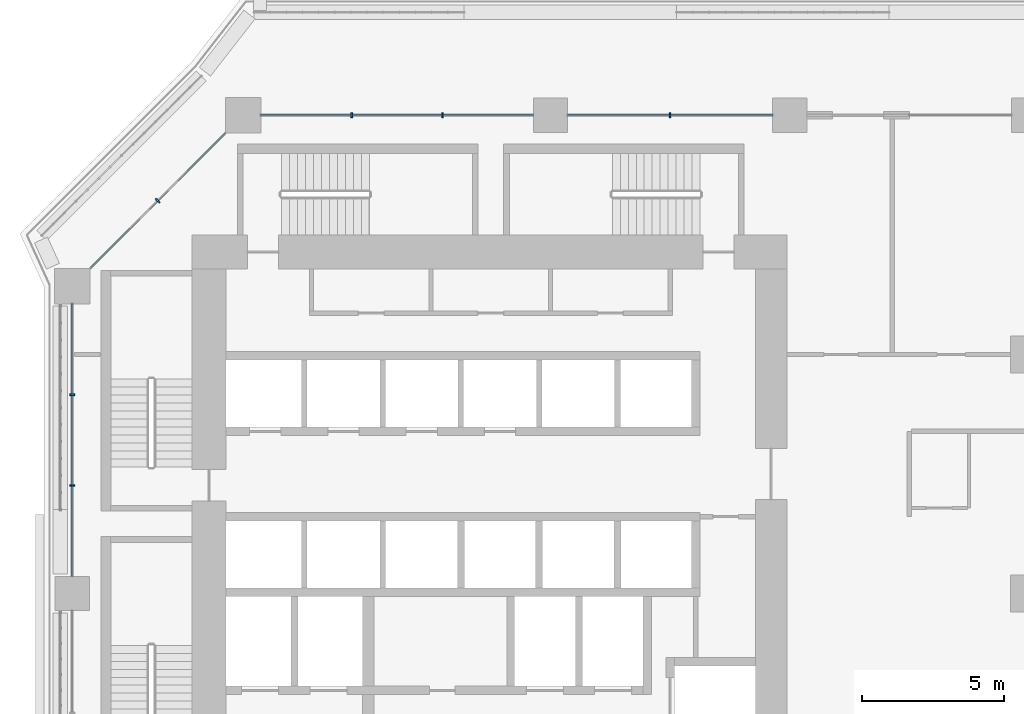
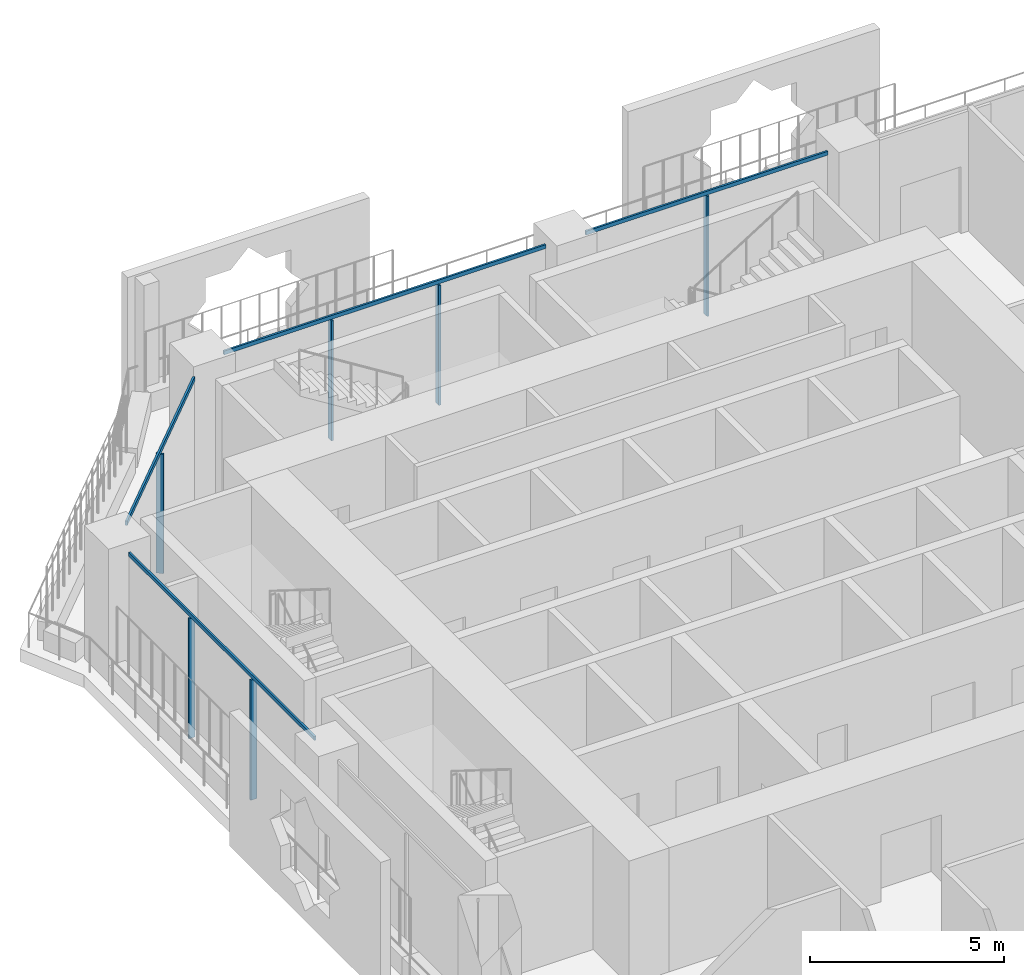
# One storey, part 7 of 27: 10 members, 3 elements without a shape of their own.
"""IFC4 building model written with IfcOpenShell, lengths in metres."""

from ifc_helpers import new_model, si_unit, direction, frame, origin, origin_2d, place, context, subcontext, project, spatial, rectangle, extrude, material, layer, layer_set, material_profile, profile_set, type_object, element, aggregate, save


model = new_model("IFC4")

# Units and contexts
model_context = context("Model", 3, precision=1e-05, world=origin(), true_north=direction((0.0, 1.0)))
body_context = subcontext(model_context, "Body", "Model", "MODEL_VIEW")
ifc_project = project(units=[si_unit("LENGTHUNIT", "METRE"), si_unit("AREAUNIT", "SQUARE_METRE"), si_unit("VOLUMEUNIT", "CUBIC_METRE"), si_unit("PLANEANGLEUNIT", "RADIAN"), si_unit("MASSUNIT", "GRAM", prefix="KILO")], contexts=[model_context])

# Site, building, storey
site_placement = place(None, origin())
site = spatial("IfcSite", under=ifc_project, at=site_placement, CompositionType="ELEMENT")
building_placement = place(site_placement, origin())
building = spatial("IfcBuilding", under=site, at=building_placement, Name="Kawkab Arch Medical Tower", CompositionType="ELEMENT")
storey_placement = place(building_placement, frame((0.0, 0.0, 39.199951171875)))
storey = spatial("IfcBuildingStorey", under=building, at=storey_placement, Name="L08", CompositionType="ELEMENT", Elevation=39.199951171875)

# Curtain wall, members
ifc_material_1 = material(Name="Bronze anodised aluminium curtain wall frame", Category="aluminium")
ifc_layer_1 = layer(ifc_material_1, 0.159912109375)
ifc_layer_set_1 = layer_set([ifc_layer_1], Name="Bronze anodised aluminium curtain wall frame")
curtain_wall_type_1 = type_object("IfcCurtainWallType", Name="CW1 ward curtain wall", PredefinedType="NOTDEFINED", material=ifc_layer_set_1)
placement = place(storey_placement, origin())
curtain_wall_1 = element("IfcCurtainWall", 1, at=placement, inside=storey, type_object=curtain_wall_type_1, Name="CW1 Ward curtain wall R09", PredefinedType="NOTDEFINED")
ifc_material_2 = material(Name="Bronze anodised aluminium curtain wall frame", Category="aluminium")
ifc_material_profile_1 = material_profile(ifc_material_2, rectangle(XDim=0.179931640625, YDim=0.06005859375, at=origin_2d()), Name="AL 60x180")
ifc_profile_set_1 = profile_set([ifc_material_profile_1], Name="Bronze anodised aluminium curtain wall frame")
member_type_1 = type_object("IfcMemberType", Name="CW1 mullion 60 x 180", PredefinedType="MULLION", material=ifc_profile_set_1)
member_1_placement = place(storey_placement, frame((21.0, 0.0, 0.0), z_axis=(0.0, 0.0, 1.0), x_axis=(0.0, -1.0, 0.0)))
member_1 = element("IfcMember", 2, at=member_1_placement, type_object=member_type_1, Name="CW1 mullion 7.1", PredefinedType="MULLION", context=body_context, shape_type="SweptSolid", body=[
    extrude(rectangle(XDim=0.179931640625, YDim=0.06005859375, at=origin_2d()), origin(), (0.0, 0.0, 1.0), 3.780029296875),
])
member_2_placement = place(storey_placement, frame((13.00830078125, 0.0, 0.0), z_axis=(0.0, 0.0, 1.0), x_axis=(0.0, -1.0, 0.0)))
member_2 = element("IfcMember", 3, at=member_2_placement, type_object=member_type_1, Name="CW1 mullion 8.1", PredefinedType="MULLION", context=body_context, shape_type="SweptSolid", body=[
    extrude(rectangle(XDim=0.179931640625, YDim=0.06005859375, at=origin_2d()), origin(), (0.0, 0.0, 1.0), 3.780029296875),
])
member_3_placement = place(storey_placement, frame((9.816650390625, 0.0, 0.0), z_axis=(0.0, 0.0, 1.0), x_axis=(0.0, -1.0, 0.0)))
member_3 = element("IfcMember", 4, at=member_3_placement, type_object=member_type_1, Name="CW1 mullion 8.2", PredefinedType="MULLION", context=body_context, shape_type="SweptSolid", body=[
    extrude(rectangle(XDim=0.179931640625, YDim=0.06005859375, at=origin_2d()), origin(), (0.0, 0.0, 1.0), 3.780029296875),
])

curtain_wall_2 = element("IfcCurtainWall", 5, at=placement, inside=storey, type_object=curtain_wall_type_1, Name="CW1 Ward curtain wall R11", PredefinedType="NOTDEFINED")
member_4_placement = place(storey_placement, frame((0.0, -9.816650390625, 0.0), z_axis=(0.0, 0.0, 1.0), x_axis=(1.0, 0.0, 0.0)))
member_4 = element("IfcMember", 6, at=member_4_placement, type_object=member_type_1, Name="CW1 mullion 1.1", PredefinedType="MULLION", context=body_context, shape_type="SweptSolid", body=[
    extrude(rectangle(XDim=0.179931640625, YDim=0.06005859375, at=origin_2d()), origin(), (0.0, 0.0, 1.0), 3.780029296875),
])
member_5_placement = place(storey_placement, frame((0.0, -13.00830078125, 0.0), z_axis=(0.0, 0.0, 1.0), x_axis=(1.0, 0.0, 0.0)))
member_5 = element("IfcMember", 7, at=member_5_placement, type_object=member_type_1, Name="CW1 mullion 1.2", PredefinedType="MULLION", context=body_context, shape_type="SweptSolid", body=[
    extrude(rectangle(XDim=0.179931640625, YDim=0.06005859375, at=origin_2d()), origin(), (0.0, 0.0, 1.0), 3.780029296875),
])

# Member
ifc_material_3 = material(Name="Bronze anodised aluminium curtain wall frame", Category="aluminium")
ifc_material_profile_2 = material_profile(ifc_material_3, rectangle(XDim=0.06005859375, YDim=0.1201171875, at=origin_2d()), Name="AL 60x120")
ifc_profile_set_2 = profile_set([ifc_material_profile_2], Name="Bronze anodised aluminium curtain wall frame")
member_type_2 = type_object("IfcMemberType", Name="CW1 transom 120 x 60", PredefinedType="USERDEFINED", material=ifc_profile_set_2)
member_6_placement = place(storey_placement, frame((24.60009765625, 0.0, 3.840087890625), z_axis=(-1.0, 0.0, 0.0), x_axis=(0.0, -1.0, 0.0)))
member_6 = element("IfcMember", 8, at=member_6_placement, type_object=member_type_2, Name="CW1 transom 7", ObjectType="TRANSOM", PredefinedType="USERDEFINED", context=body_context, shape_type="SweptSolid", body=[
    extrude(rectangle(XDim=0.06005859375, YDim=0.1201171875, at=origin_2d()), origin(), (0.0, 0.0, 1.0), 7.2001953125),
])

member_7_placement = place(storey_placement, frame((16.199951171875, 0.0, 3.840087890625), z_axis=(-1.0, 0.0, 0.0), x_axis=(0.0, -1.0, 0.0)))
member_7 = element("IfcMember", 9, at=member_7_placement, type_object=member_type_2, Name="CW1 transom 8", ObjectType="TRANSOM", PredefinedType="USERDEFINED", context=body_context, shape_type="SweptSolid", body=[
    extrude(rectangle(XDim=0.06005859375, YDim=0.1201171875, at=origin_2d()), origin(), (0.0, 0.0, 1.0), 9.574951171875),
])

aggregate(curtain_wall_1, [member_6, member_1, member_7, member_2, member_3])

member_8_placement = place(storey_placement, frame((0.0, -6.625, 3.840087890625), z_axis=(0.0, -1.0, 0.0), x_axis=(1.0, 0.0, 0.0)))
member_8 = element("IfcMember", 10, at=member_8_placement, type_object=member_type_2, Name="CW1 transom 1", ObjectType="TRANSOM", PredefinedType="USERDEFINED", context=body_context, shape_type="SweptSolid", body=[
    extrude(rectangle(XDim=0.06005859375, YDim=0.1201171875, at=origin_2d()), origin(), (0.0, 0.0, 1.0), 9.574951171875),
])

aggregate(curtain_wall_2, [member_8, member_4, member_5])

# Curtain wall, members
ifc_material_4 = material(Name="Bronze anodised aluminium curtain wall frame", Category="aluminium")
ifc_layer_2 = layer(ifc_material_4, 0.159912109375)
ifc_layer_set_2 = layer_set([ifc_layer_2], Name="Bronze anodised aluminium curtain wall frame")
curtain_wall_type_2 = type_object("IfcCurtainWallType", Name="CW2 chamfer curtain wall", PredefinedType="NOTDEFINED", material=ifc_layer_set_2)
curtain_wall_3 = element("IfcCurtainWall", 11, at=placement, inside=storey, type_object=curtain_wall_type_2, Name="CW2 Chamfer curtain wall R10", PredefinedType="NOTDEFINED")
ifc_material_5 = material(Name="Bronze anodised aluminium curtain wall frame", Category="aluminium")
ifc_material_profile_3 = material_profile(ifc_material_5, rectangle(XDim=0.199951171875, YDim=0.06005859375, at=origin_2d()), Name="AL 60x200")
ifc_profile_set_3 = profile_set([ifc_material_profile_3], Name="Bronze anodised aluminium curtain wall frame")
member_type_3 = type_object("IfcMemberType", Name="CW2 mullion 60 x 200", PredefinedType="MULLION", material=ifc_profile_set_3)
member_9_placement = place(storey_placement, frame((3.0, -3.0, 0.0), z_axis=(0.0, 0.0, 1.0), x_axis=(0.707106781187, -0.707106781187, 0.0)))
member_9 = element("IfcMember", 12, at=member_9_placement, type_object=member_type_3, Name="CW2 mullion 1.1", PredefinedType="MULLION", context=body_context, shape_type="SweptSolid", body=[
    extrude(rectangle(XDim=0.199951171875, YDim=0.06005859375, at=origin_2d()), origin(), (0.0, 0.0, 1.0), 3.760009765625),
])
ifc_material_6 = material(Name="Bronze anodised aluminium curtain wall frame", Category="aluminium")
ifc_material_profile_4 = material_profile(ifc_material_6, rectangle(XDim=0.06005859375, YDim=0.139892578125, at=origin_2d()), Name="AL 60x140")
ifc_profile_set_4 = profile_set([ifc_material_profile_4], Name="Bronze anodised aluminium curtain wall frame")
member_type_4 = type_object("IfcMemberType", Name="CW2 transom 140 x 60", PredefinedType="USERDEFINED", material=ifc_profile_set_4)
member_10_placement = place(storey_placement, frame((5.375, -0.625, 3.830078125), z_axis=(-0.707106781187, -0.707106781187, 0.0), x_axis=(0.707106781187, -0.707106781187, 0.0)))
member_10 = element("IfcMember", 13, at=member_10_placement, type_object=member_type_4, Name="CW2 transom 1", ObjectType="TRANSOM", PredefinedType="USERDEFINED", context=body_context, shape_type="SweptSolid", body=[
    extrude(rectangle(XDim=0.06005859375, YDim=0.139892578125, at=origin_2d()), origin(), (0.0, 0.0, 1.0), 6.717529296875),
])
aggregate(curtain_wall_3, [member_10, member_9])

save(model, "model.ifc")
